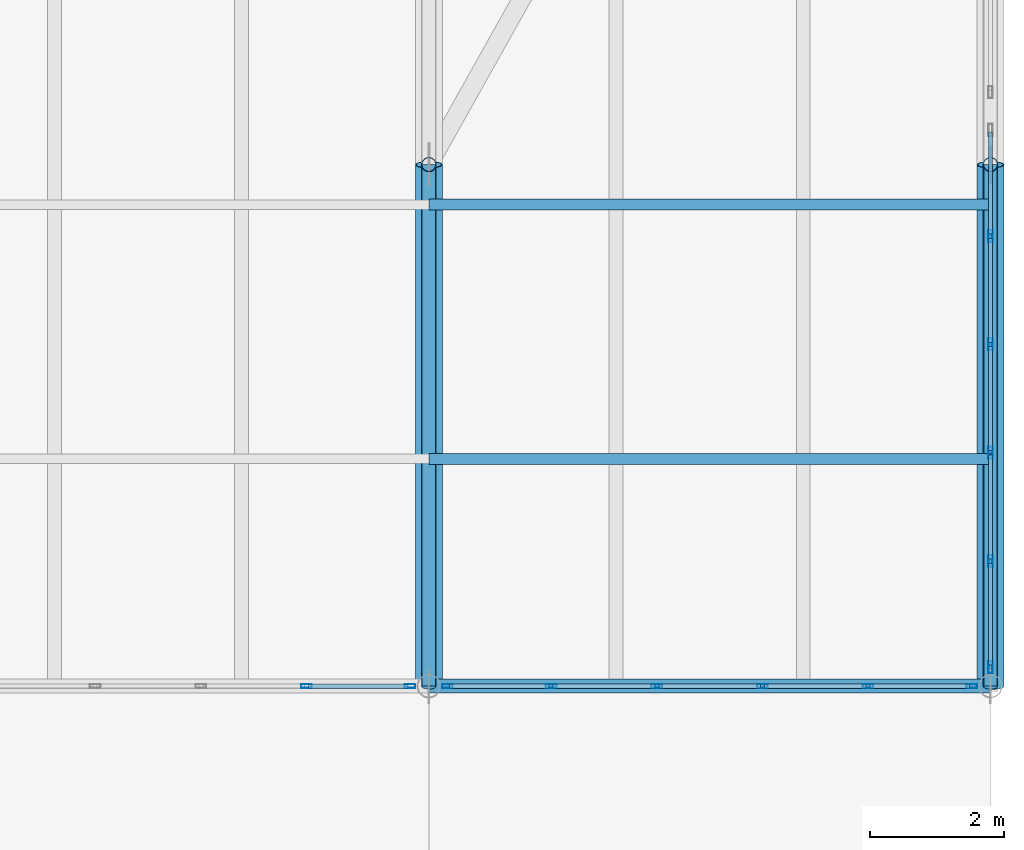
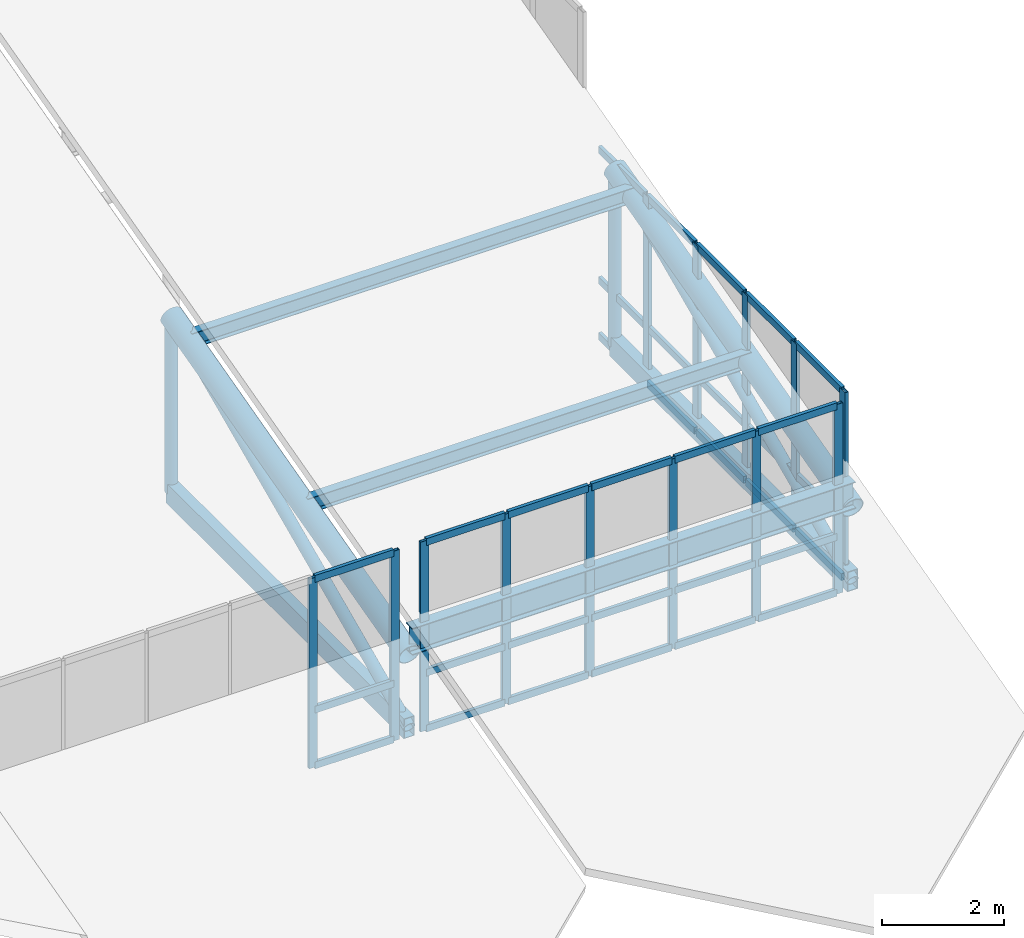
# One storey, part 22 of 43: 56 members, 1 beam, 3 elements without a shape of their own.
"""IFC4 building model written with IfcOpenShell, lengths in metres."""

from ifc_helpers import new_model, si_unit, direction, frame, origin, origin_2d, place, context, subcontext, project, spatial, hollow_rectangle, hollow_circle, i_section, extrude, material, layer, layer_set, material_profile, profile_set, type_object, element, aggregate, save


model = new_model("IFC4")

# Units and contexts
model_context = context("Model", 3, precision=1e-05, world=origin(), true_north=direction((0.0, 1.0)))
body_context = subcontext(model_context, "Body", "Model", "MODEL_VIEW")
ifc_project = project(units=[si_unit("LENGTHUNIT", "METRE"), si_unit("AREAUNIT", "SQUARE_METRE"), si_unit("VOLUMEUNIT", "CUBIC_METRE"), si_unit("PLANEANGLEUNIT", "RADIAN"), si_unit("MASSUNIT", "GRAM", prefix="KILO")], contexts=[model_context])

# Site, building, storey
site_placement = place(None, origin())
site = spatial("IfcSite", under=ifc_project, at=site_placement, CompositionType="ELEMENT")
building_placement = place(site_placement, origin())
building = spatial("IfcBuilding", under=site, at=building_placement, Name="Selat Folded Stagehouse", CompositionType="ELEMENT")
storey_placement = place(building_placement, frame((0.0, 0.0, 32.39990234375)))
storey = spatial("IfcBuildingStorey", under=building, at=storey_placement, Name="RF", CompositionType="ELEMENT", Elevation=32.39990234375)

# Beam
ifc_material_1 = material(Name="Steel S355", Category="steel")
ifc_material_profile_1 = material_profile(ifc_material_1, i_section(OverallWidth=0.209228515625, OverallDepth=0.533203125, WebThickness=0.010009765625, FlangeThickness=0.015625, FilletRadius=0.0126953125, at=origin_2d()), Name="UKB 533x210x92")
ifc_profile_set_1 = profile_set([ifc_material_profile_1], Name="Steel S355")
beam_type = type_object("IfcBeamType", Name="BM-GIRD-533x210x92", PredefinedType="BEAM", material=ifc_profile_set_1)
beam_placement = place(storey_placement, frame((58.800048828125, 23.39990234375, 1.9208984375), z_axis=(1.0, 0.0, 0.0), x_axis=(0.0, 1.0, 0.0)))
element("IfcBeam", 1, at=beam_placement, inside=storey, type_object=beam_type, Name="RF bay 7 S roof bearer beam", PredefinedType="BEAM", context=body_context, shape_type="SweptSolid", body=[
    extrude(i_section(OverallWidth=0.209228515625, OverallDepth=0.533203125, WebThickness=0.010009765625, FlangeThickness=0.015625, FilletRadius=0.0126953125, at=origin_2d()), origin(), (0.0, 0.0, 1.0), 8.39990234375),
])

# Curtain wall, members
ifc_material_2 = material(Name="Aluminium 6063-T6", Category="aluminium")
ifc_layer = layer(ifc_material_2, 0.169921875)
ifc_layer_set = layer_set([ifc_layer], Name="Aluminium 6063-T6")
curtain_wall_type = type_object("IfcCurtainWallType", Name="CW-CRN-CLER", PredefinedType="NOTDEFINED", material=ifc_layer_set)
curtain_wall_1_placement = place(storey_placement, origin())
curtain_wall_1 = element("IfcCurtainWall", 2, at=curtain_wall_1_placement, inside=storey, type_object=curtain_wall_type, Name="RF curtain wall CW-RF-S-05", PredefinedType="NOTDEFINED")
ifc_material_profile_2 = material_profile(ifc_material_2, hollow_rectangle(XDim=0.06005859375, YDim=0.159912109375, WallThickness=0.00390625, at=origin_2d()), Name="ALU 160x60x4.0")
ifc_profile_set_2 = profile_set([ifc_material_profile_2], Name="Aluminium 6063-T6")
member_type_1 = type_object("IfcMemberType", Name="CWM-MUL-160x60", PredefinedType="MULLION", material=ifc_profile_set_2)
member_1_placement = place(storey_placement, frame((58.52001953125, 23.39990234375, 0.0), z_axis=(0.0, 0.0, 1.0), x_axis=(0.0, -1.0, 0.0)))
member_1 = element("IfcMember", 3, at=member_1_placement, type_object=member_type_1, Name="CW-09 mullion 1", PredefinedType="MULLION", context=body_context, shape_type="SweptSolid", body=[
    extrude(hollow_rectangle(XDim=0.06005859375, YDim=0.159912109375, WallThickness=0.00390625, at=origin_2d()), origin(), (0.0, 0.0, 1.0), 3.800048828125),
])
member_2_placement = place(storey_placement, frame((56.969970703125, 23.39990234375, 0.0), z_axis=(0.0, 0.0, 1.0), x_axis=(0.0, -1.0, 0.0)))
member_2 = element("IfcMember", 4, at=member_2_placement, type_object=member_type_1, Name="CW-09 mullion 2", PredefinedType="MULLION", context=body_context, shape_type="SweptSolid", body=[
    extrude(hollow_rectangle(XDim=0.06005859375, YDim=0.159912109375, WallThickness=0.00390625, at=origin_2d()), origin(), (0.0, 0.0, 1.0), 3.800048828125),
])

curtain_wall_2_placement = place(storey_placement, origin())
curtain_wall_2 = element("IfcCurtainWall", 5, at=curtain_wall_2_placement, inside=storey, type_object=curtain_wall_type, Name="RF curtain wall CW-RF-S-06", PredefinedType="NOTDEFINED")
member_3_placement = place(storey_placement, frame((66.919921875, 23.39990234375, 0.0), z_axis=(0.0, 0.0, 1.0), x_axis=(0.0, -1.0, 0.0)))
member_3 = element("IfcMember", 6, at=member_3_placement, type_object=member_type_1, Name="CW-09 mullion 1", PredefinedType="MULLION", context=body_context, shape_type="SweptSolid", body=[
    extrude(hollow_rectangle(XDim=0.06005859375, YDim=0.159912109375, WallThickness=0.00390625, at=origin_2d()), origin(), (0.0, 0.0, 1.0), 3.800048828125),
])
member_4_placement = place(storey_placement, frame((65.3701171875, 23.39990234375, 0.0), z_axis=(0.0, 0.0, 1.0), x_axis=(0.0, -1.0, 0.0)))
member_4 = element("IfcMember", 7, at=member_4_placement, type_object=member_type_1, Name="CW-09 mullion 2", PredefinedType="MULLION", context=body_context, shape_type="SweptSolid", body=[
    extrude(hollow_rectangle(XDim=0.06005859375, YDim=0.159912109375, WallThickness=0.00390625, at=origin_2d()), origin(), (0.0, 0.0, 1.0), 3.800048828125),
])
member_5_placement = place(storey_placement, frame((63.7900390625, 23.39990234375, 0.0), z_axis=(0.0, 0.0, 1.0), x_axis=(0.0, -1.0, 0.0)))
member_5 = element("IfcMember", 8, at=member_5_placement, type_object=member_type_1, Name="CW-09 mullion 3", PredefinedType="MULLION", context=body_context, shape_type="SweptSolid", body=[
    extrude(hollow_rectangle(XDim=0.06005859375, YDim=0.159912109375, WallThickness=0.00390625, at=origin_2d()), origin(), (0.0, 0.0, 1.0), 3.800048828125),
])
member_6_placement = place(storey_placement, frame((62.2099609375, 23.39990234375, 0.0), z_axis=(0.0, 0.0, 1.0), x_axis=(0.0, -1.0, 0.0)))
member_6 = element("IfcMember", 9, at=member_6_placement, type_object=member_type_1, Name="CW-09 mullion 4", PredefinedType="MULLION", context=body_context, shape_type="SweptSolid", body=[
    extrude(hollow_rectangle(XDim=0.06005859375, YDim=0.159912109375, WallThickness=0.00390625, at=origin_2d()), origin(), (0.0, 0.0, 1.0), 3.800048828125),
])
member_7_placement = place(storey_placement, frame((60.6298828125, 23.39990234375, 0.0), z_axis=(0.0, 0.0, 1.0), x_axis=(0.0, -1.0, 0.0)))
member_7 = element("IfcMember", 10, at=member_7_placement, type_object=member_type_1, Name="CW-09 mullion 5", PredefinedType="MULLION", context=body_context, shape_type="SweptSolid", body=[
    extrude(hollow_rectangle(XDim=0.06005859375, YDim=0.159912109375, WallThickness=0.00390625, at=origin_2d()), origin(), (0.0, 0.0, 1.0), 3.800048828125),
])
member_8_placement = place(storey_placement, frame((59.080078125, 23.39990234375, 0.0), z_axis=(0.0, 0.0, 1.0), x_axis=(0.0, -1.0, 0.0)))
member_8 = element("IfcMember", 11, at=member_8_placement, type_object=member_type_1, Name="CW-09 mullion 6", PredefinedType="MULLION", context=body_context, shape_type="SweptSolid", body=[
    extrude(hollow_rectangle(XDim=0.06005859375, YDim=0.159912109375, WallThickness=0.00390625, at=origin_2d()), origin(), (0.0, 0.0, 1.0), 3.800048828125),
])

curtain_wall_3_placement = place(storey_placement, origin())
curtain_wall_3 = element("IfcCurtainWall", 12, at=curtain_wall_3_placement, inside=storey, type_object=curtain_wall_type, Name="RF curtain wall CW-RF-E-03", PredefinedType="NOTDEFINED")
ifc_material_profile_3 = material_profile(ifc_material_2, hollow_rectangle(XDim=0.06494140625, YDim=0.179931640625, WallThickness=0.00390625, at=origin_2d()), Name="ALU 180x65x4.0")
ifc_profile_set_3 = profile_set([ifc_material_profile_3], Name="Aluminium 6063-T6")
member_type_2 = type_object("IfcMemberType", Name="CWM-MUL-180x65", PredefinedType="MULLION", material=ifc_profile_set_3)
member_9_placement = place(storey_placement, frame((67.199951171875, 30.1298828125, 0.0), z_axis=(0.0, 0.0, 1.0), x_axis=(1.0, 0.0, 0.0)))
member_9 = element("IfcMember", 13, at=member_9_placement, type_object=member_type_2, Name="CW-09 mullion 2", PredefinedType="MULLION", context=body_context, shape_type="SweptSolid", body=[
    extrude(hollow_rectangle(XDim=0.06494140625, YDim=0.179931640625, WallThickness=0.00390625, at=origin_2d()), origin(), (0.0, 0.0, 1.0), 3.800048828125),
])
member_10_placement = place(storey_placement, frame((67.199951171875, 28.510009765625, 0.0), z_axis=(0.0, 0.0, 1.0), x_axis=(1.0, 0.0, 0.0)))
member_10 = element("IfcMember", 14, at=member_10_placement, type_object=member_type_2, Name="CW-09 mullion 3", PredefinedType="MULLION", context=body_context, shape_type="SweptSolid", body=[
    extrude(hollow_rectangle(XDim=0.06494140625, YDim=0.179931640625, WallThickness=0.00390625, at=origin_2d()), origin(), (0.0, 0.0, 1.0), 3.800048828125),
])
member_11_placement = place(storey_placement, frame((67.199951171875, 26.889892578125, 0.0), z_axis=(0.0, 0.0, 1.0), x_axis=(1.0, 0.0, 0.0)))
member_11 = element("IfcMember", 15, at=member_11_placement, type_object=member_type_2, Name="CW-09 mullion 4", PredefinedType="MULLION", context=body_context, shape_type="SweptSolid", body=[
    extrude(hollow_rectangle(XDim=0.06494140625, YDim=0.179931640625, WallThickness=0.00390625, at=origin_2d()), origin(), (0.0, 0.0, 1.0), 3.800048828125),
])
member_12_placement = place(storey_placement, frame((67.199951171875, 25.27001953125, 0.0), z_axis=(0.0, 0.0, 1.0), x_axis=(1.0, 0.0, 0.0)))
member_12 = element("IfcMember", 16, at=member_12_placement, type_object=member_type_2, Name="CW-09 mullion 5", PredefinedType="MULLION", context=body_context, shape_type="SweptSolid", body=[
    extrude(hollow_rectangle(XDim=0.06494140625, YDim=0.179931640625, WallThickness=0.00390625, at=origin_2d()), origin(), (0.0, 0.0, 1.0), 3.800048828125),
])
member_13_placement = place(storey_placement, frame((67.199951171875, 23.6826171875, 0.0), z_axis=(0.0, 0.0, 1.0), x_axis=(1.0, 0.0, 0.0)))
member_13 = element("IfcMember", 17, at=member_13_placement, type_object=member_type_2, Name="CW-09 mullion 6", PredefinedType="MULLION", context=body_context, shape_type="SweptSolid", body=[
    extrude(hollow_rectangle(XDim=0.06494140625, YDim=0.179931640625, WallThickness=0.00390625, at=origin_2d()), origin(), (0.0, 0.0, 1.0), 3.800048828125),
])

# Member
ifc_material_profile_4 = material_profile(ifc_material_2, hollow_rectangle(XDim=0.06494140625, YDim=0.139892578125, WallThickness=0.00390625, at=origin_2d()), Name="ALU 140x65x4.0")
ifc_profile_set_4 = profile_set([ifc_material_profile_4], Name="Aluminium 6063-T6")
member_type_3 = type_object("IfcMemberType", Name="CWM-TRN-140x65", PredefinedType="USERDEFINED", material=ifc_profile_set_4)
member_14_placement = place(storey_placement, frame((58.489990234375, 23.39990234375, 0.03271484375), z_axis=(-1.0, 0.0, 0.0), x_axis=(0.0, -1.0, 0.0)))
member_14 = element("IfcMember", 18, at=member_14_placement, type_object=member_type_3, Name="CW-09 transom 1.1", ObjectType="TRANSOM", PredefinedType="USERDEFINED", context=body_context, shape_type="SweptSolid", body=[
    extrude(hollow_rectangle(XDim=0.06494140625, YDim=0.139892578125, WallThickness=0.00390625, at=origin_2d()), origin(), (0.0, 0.0, 1.0), 1.489990234375),
])

member_15_placement = place(storey_placement, frame((58.489990234375, 23.39990234375, 1.150146484375), z_axis=(-1.0, 0.0, 0.0), x_axis=(0.0, -1.0, 0.0)))
member_15 = element("IfcMember", 19, at=member_15_placement, type_object=member_type_3, Name="CW-09 transom 1.2", ObjectType="TRANSOM", PredefinedType="USERDEFINED", context=body_context, shape_type="SweptSolid", body=[
    extrude(hollow_rectangle(XDim=0.06494140625, YDim=0.139892578125, WallThickness=0.00390625, at=origin_2d()), origin(), (0.0, 0.0, 1.0), 1.489990234375),
])

member_16_placement = place(storey_placement, frame((58.489990234375, 23.39990234375, 3.767578125), z_axis=(-1.0, 0.0, 0.0), x_axis=(0.0, -1.0, 0.0)))
member_16 = element("IfcMember", 20, at=member_16_placement, type_object=member_type_3, Name="CW-09 transom 1.3", ObjectType="TRANSOM", PredefinedType="USERDEFINED", context=body_context, shape_type="SweptSolid", body=[
    extrude(hollow_rectangle(XDim=0.06494140625, YDim=0.139892578125, WallThickness=0.00390625, at=origin_2d()), origin(), (0.0, 0.0, 1.0), 1.489990234375),
])

aggregate(curtain_wall_1, [member_1, member_2, member_14, member_15, member_16])

member_17_placement = place(storey_placement, frame((66.889892578125, 23.39990234375, 0.03271484375), z_axis=(-1.0, 0.0, 0.0), x_axis=(0.0, -1.0, 0.0)))
member_17 = element("IfcMember", 21, at=member_17_placement, type_object=member_type_3, Name="CW-09 transom 1.1", ObjectType="TRANSOM", PredefinedType="USERDEFINED", context=body_context, shape_type="SweptSolid", body=[
    extrude(hollow_rectangle(XDim=0.06494140625, YDim=0.139892578125, WallThickness=0.00390625, at=origin_2d()), origin(), (0.0, 0.0, 1.0), 1.489990234375),
])

member_18_placement = place(storey_placement, frame((66.889892578125, 23.39990234375, 1.150146484375), z_axis=(-1.0, 0.0, 0.0), x_axis=(0.0, -1.0, 0.0)))
member_18 = element("IfcMember", 22, at=member_18_placement, type_object=member_type_3, Name="CW-09 transom 1.2", ObjectType="TRANSOM", PredefinedType="USERDEFINED", context=body_context, shape_type="SweptSolid", body=[
    extrude(hollow_rectangle(XDim=0.06494140625, YDim=0.139892578125, WallThickness=0.00390625, at=origin_2d()), origin(), (0.0, 0.0, 1.0), 1.489990234375),
])

member_19_placement = place(storey_placement, frame((66.889892578125, 23.39990234375, 3.767578125), z_axis=(-1.0, 0.0, 0.0), x_axis=(0.0, -1.0, 0.0)))
member_19 = element("IfcMember", 23, at=member_19_placement, type_object=member_type_3, Name="CW-09 transom 1.3", ObjectType="TRANSOM", PredefinedType="USERDEFINED", context=body_context, shape_type="SweptSolid", body=[
    extrude(hollow_rectangle(XDim=0.06494140625, YDim=0.139892578125, WallThickness=0.00390625, at=origin_2d()), origin(), (0.0, 0.0, 1.0), 1.489990234375),
])

member_20_placement = place(storey_placement, frame((65.340087890625, 23.39990234375, 0.03271484375), z_axis=(-1.0, 0.0, 0.0), x_axis=(0.0, -1.0, 0.0)))
member_20 = element("IfcMember", 24, at=member_20_placement, type_object=member_type_3, Name="CW-09 transom 2.1", ObjectType="TRANSOM", PredefinedType="USERDEFINED", context=body_context, shape_type="SweptSolid", body=[
    extrude(hollow_rectangle(XDim=0.06494140625, YDim=0.139892578125, WallThickness=0.00390625, at=origin_2d()), origin(), (0.0, 0.0, 1.0), 1.52001953125),
])

member_21_placement = place(storey_placement, frame((65.340087890625, 23.39990234375, 1.150146484375), z_axis=(-1.0, 0.0, 0.0), x_axis=(0.0, -1.0, 0.0)))
member_21 = element("IfcMember", 25, at=member_21_placement, type_object=member_type_3, Name="CW-09 transom 2.2", ObjectType="TRANSOM", PredefinedType="USERDEFINED", context=body_context, shape_type="SweptSolid", body=[
    extrude(hollow_rectangle(XDim=0.06494140625, YDim=0.139892578125, WallThickness=0.00390625, at=origin_2d()), origin(), (0.0, 0.0, 1.0), 1.52001953125),
])

member_22_placement = place(storey_placement, frame((65.340087890625, 23.39990234375, 3.767578125), z_axis=(-1.0, 0.0, 0.0), x_axis=(0.0, -1.0, 0.0)))
member_22 = element("IfcMember", 26, at=member_22_placement, type_object=member_type_3, Name="CW-09 transom 2.3", ObjectType="TRANSOM", PredefinedType="USERDEFINED", context=body_context, shape_type="SweptSolid", body=[
    extrude(hollow_rectangle(XDim=0.06494140625, YDim=0.139892578125, WallThickness=0.00390625, at=origin_2d()), origin(), (0.0, 0.0, 1.0), 1.52001953125),
])

member_23_placement = place(storey_placement, frame((63.760009765625, 23.39990234375, 0.03271484375), z_axis=(-1.0, 0.0, 0.0), x_axis=(0.0, -1.0, 0.0)))
member_23 = element("IfcMember", 27, at=member_23_placement, type_object=member_type_3, Name="CW-09 transom 3.1", ObjectType="TRANSOM", PredefinedType="USERDEFINED", context=body_context, shape_type="SweptSolid", body=[
    extrude(hollow_rectangle(XDim=0.06494140625, YDim=0.139892578125, WallThickness=0.00390625, at=origin_2d()), origin(), (0.0, 0.0, 1.0), 1.52001953125),
])

member_24_placement = place(storey_placement, frame((63.760009765625, 23.39990234375, 1.150146484375), z_axis=(-1.0, 0.0, 0.0), x_axis=(0.0, -1.0, 0.0)))
member_24 = element("IfcMember", 28, at=member_24_placement, type_object=member_type_3, Name="CW-09 transom 3.2", ObjectType="TRANSOM", PredefinedType="USERDEFINED", context=body_context, shape_type="SweptSolid", body=[
    extrude(hollow_rectangle(XDim=0.06494140625, YDim=0.139892578125, WallThickness=0.00390625, at=origin_2d()), origin(), (0.0, 0.0, 1.0), 1.52001953125),
])

member_25_placement = place(storey_placement, frame((63.760009765625, 23.39990234375, 3.767578125), z_axis=(-1.0, 0.0, 0.0), x_axis=(0.0, -1.0, 0.0)))
member_25 = element("IfcMember", 29, at=member_25_placement, type_object=member_type_3, Name="CW-09 transom 3.3", ObjectType="TRANSOM", PredefinedType="USERDEFINED", context=body_context, shape_type="SweptSolid", body=[
    extrude(hollow_rectangle(XDim=0.06494140625, YDim=0.139892578125, WallThickness=0.00390625, at=origin_2d()), origin(), (0.0, 0.0, 1.0), 1.52001953125),
])

member_26_placement = place(storey_placement, frame((62.179931640625, 23.39990234375, 0.03271484375), z_axis=(-1.0, 0.0, 0.0), x_axis=(0.0, -1.0, 0.0)))
member_26 = element("IfcMember", 30, at=member_26_placement, type_object=member_type_3, Name="CW-09 transom 4.1", ObjectType="TRANSOM", PredefinedType="USERDEFINED", context=body_context, shape_type="SweptSolid", body=[
    extrude(hollow_rectangle(XDim=0.06494140625, YDim=0.139892578125, WallThickness=0.00390625, at=origin_2d()), origin(), (0.0, 0.0, 1.0), 1.52001953125),
])

member_27_placement = place(storey_placement, frame((62.179931640625, 23.39990234375, 1.150146484375), z_axis=(-1.0, 0.0, 0.0), x_axis=(0.0, -1.0, 0.0)))
member_27 = element("IfcMember", 31, at=member_27_placement, type_object=member_type_3, Name="CW-09 transom 4.2", ObjectType="TRANSOM", PredefinedType="USERDEFINED", context=body_context, shape_type="SweptSolid", body=[
    extrude(hollow_rectangle(XDim=0.06494140625, YDim=0.139892578125, WallThickness=0.00390625, at=origin_2d()), origin(), (0.0, 0.0, 1.0), 1.52001953125),
])

member_28_placement = place(storey_placement, frame((62.179931640625, 23.39990234375, 3.767578125), z_axis=(-1.0, 0.0, 0.0), x_axis=(0.0, -1.0, 0.0)))
member_28 = element("IfcMember", 32, at=member_28_placement, type_object=member_type_3, Name="CW-09 transom 4.3", ObjectType="TRANSOM", PredefinedType="USERDEFINED", context=body_context, shape_type="SweptSolid", body=[
    extrude(hollow_rectangle(XDim=0.06494140625, YDim=0.139892578125, WallThickness=0.00390625, at=origin_2d()), origin(), (0.0, 0.0, 1.0), 1.52001953125),
])

member_29_placement = place(storey_placement, frame((60.60009765625, 23.39990234375, 0.03271484375), z_axis=(-1.0, 0.0, 0.0), x_axis=(0.0, -1.0, 0.0)))
member_29 = element("IfcMember", 33, at=member_29_placement, type_object=member_type_3, Name="CW-09 transom 5.1", ObjectType="TRANSOM", PredefinedType="USERDEFINED", context=body_context, shape_type="SweptSolid", body=[
    extrude(hollow_rectangle(XDim=0.06494140625, YDim=0.139892578125, WallThickness=0.00390625, at=origin_2d()), origin(), (0.0, 0.0, 1.0), 1.489990234375),
])

member_30_placement = place(storey_placement, frame((60.60009765625, 23.39990234375, 1.150146484375), z_axis=(-1.0, 0.0, 0.0), x_axis=(0.0, -1.0, 0.0)))
member_30 = element("IfcMember", 34, at=member_30_placement, type_object=member_type_3, Name="CW-09 transom 5.2", ObjectType="TRANSOM", PredefinedType="USERDEFINED", context=body_context, shape_type="SweptSolid", body=[
    extrude(hollow_rectangle(XDim=0.06494140625, YDim=0.139892578125, WallThickness=0.00390625, at=origin_2d()), origin(), (0.0, 0.0, 1.0), 1.489990234375),
])

member_31_placement = place(storey_placement, frame((60.60009765625, 23.39990234375, 3.767578125), z_axis=(-1.0, 0.0, 0.0), x_axis=(0.0, -1.0, 0.0)))
member_31 = element("IfcMember", 35, at=member_31_placement, type_object=member_type_3, Name="CW-09 transom 5.3", ObjectType="TRANSOM", PredefinedType="USERDEFINED", context=body_context, shape_type="SweptSolid", body=[
    extrude(hollow_rectangle(XDim=0.06494140625, YDim=0.139892578125, WallThickness=0.00390625, at=origin_2d()), origin(), (0.0, 0.0, 1.0), 1.489990234375),
])

aggregate(curtain_wall_2, [member_3, member_4, member_5, member_6, member_7, member_8, member_17, member_18, member_19, member_20, member_21, member_22, member_23, member_24, member_25, member_26, member_27, member_28, member_29, member_30, member_31])

member_32_placement = place(storey_placement, frame((67.199951171875, 31.68505859375, 0.03271484375), z_axis=(0.0, -1.0, 0.0), x_axis=(1.0, 0.0, 0.0)))
member_32 = element("IfcMember", 36, at=member_32_placement, type_object=member_type_3, Name="CW-09 transom 1.1", ObjectType="TRANSOM", PredefinedType="USERDEFINED", context=body_context, shape_type="SweptSolid", body=[
    extrude(hollow_rectangle(XDim=0.06494140625, YDim=0.139892578125, WallThickness=0.00390625, at=origin_2d()), origin(), (0.0, 0.0, 1.0), 1.5224609375),
])

member_33_placement = place(storey_placement, frame((67.199951171875, 31.68505859375, 1.150146484375), z_axis=(0.0, -1.0, 0.0), x_axis=(1.0, 0.0, 0.0)))
member_33 = element("IfcMember", 37, at=member_33_placement, type_object=member_type_3, Name="CW-09 transom 1.2", ObjectType="TRANSOM", PredefinedType="USERDEFINED", context=body_context, shape_type="SweptSolid", body=[
    extrude(hollow_rectangle(XDim=0.06494140625, YDim=0.139892578125, WallThickness=0.00390625, at=origin_2d()), origin(), (0.0, 0.0, 1.0), 1.5224609375),
])

member_34_placement = place(storey_placement, frame((67.199951171875, 31.68505859375, 3.767578125), z_axis=(0.0, -1.0, 0.0), x_axis=(1.0, 0.0, 0.0)))
member_34 = element("IfcMember", 38, at=member_34_placement, type_object=member_type_3, Name="CW-09 transom 1.3", ObjectType="TRANSOM", PredefinedType="USERDEFINED", context=body_context, shape_type="SweptSolid", body=[
    extrude(hollow_rectangle(XDim=0.06494140625, YDim=0.139892578125, WallThickness=0.00390625, at=origin_2d()), origin(), (0.0, 0.0, 1.0), 1.5224609375),
])

member_35_placement = place(storey_placement, frame((67.199951171875, 30.097412109375, 0.03271484375), z_axis=(0.0, -1.0, 0.0), x_axis=(1.0, 0.0, 0.0)))
member_35 = element("IfcMember", 39, at=member_35_placement, type_object=member_type_3, Name="CW-09 transom 2.1", ObjectType="TRANSOM", PredefinedType="USERDEFINED", context=body_context, shape_type="SweptSolid", body=[
    extrude(hollow_rectangle(XDim=0.06494140625, YDim=0.139892578125, WallThickness=0.00390625, at=origin_2d()), origin(), (0.0, 0.0, 1.0), 1.554931640625),
])

member_36_placement = place(storey_placement, frame((67.199951171875, 30.097412109375, 1.150146484375), z_axis=(0.0, -1.0, 0.0), x_axis=(1.0, 0.0, 0.0)))
member_36 = element("IfcMember", 40, at=member_36_placement, type_object=member_type_3, Name="CW-09 transom 2.2", ObjectType="TRANSOM", PredefinedType="USERDEFINED", context=body_context, shape_type="SweptSolid", body=[
    extrude(hollow_rectangle(XDim=0.06494140625, YDim=0.139892578125, WallThickness=0.00390625, at=origin_2d()), origin(), (0.0, 0.0, 1.0), 1.554931640625),
])

member_37_placement = place(storey_placement, frame((67.199951171875, 30.097412109375, 3.767578125), z_axis=(0.0, -1.0, 0.0), x_axis=(1.0, 0.0, 0.0)))
member_37 = element("IfcMember", 41, at=member_37_placement, type_object=member_type_3, Name="CW-09 transom 2.3", ObjectType="TRANSOM", PredefinedType="USERDEFINED", context=body_context, shape_type="SweptSolid", body=[
    extrude(hollow_rectangle(XDim=0.06494140625, YDim=0.139892578125, WallThickness=0.00390625, at=origin_2d()), origin(), (0.0, 0.0, 1.0), 1.554931640625),
])

member_38_placement = place(storey_placement, frame((67.199951171875, 28.4775390625, 0.03271484375), z_axis=(0.0, -1.0, 0.0), x_axis=(1.0, 0.0, 0.0)))
member_38 = element("IfcMember", 42, at=member_38_placement, type_object=member_type_3, Name="CW-09 transom 3.1", ObjectType="TRANSOM", PredefinedType="USERDEFINED", context=body_context, shape_type="SweptSolid", body=[
    extrude(hollow_rectangle(XDim=0.06494140625, YDim=0.139892578125, WallThickness=0.00390625, at=origin_2d()), origin(), (0.0, 0.0, 1.0), 1.554931640625),
])

member_39_placement = place(storey_placement, frame((67.199951171875, 28.4775390625, 1.150146484375), z_axis=(0.0, -1.0, 0.0), x_axis=(1.0, 0.0, 0.0)))
member_39 = element("IfcMember", 43, at=member_39_placement, type_object=member_type_3, Name="CW-09 transom 3.2", ObjectType="TRANSOM", PredefinedType="USERDEFINED", context=body_context, shape_type="SweptSolid", body=[
    extrude(hollow_rectangle(XDim=0.06494140625, YDim=0.139892578125, WallThickness=0.00390625, at=origin_2d()), origin(), (0.0, 0.0, 1.0), 1.554931640625),
])

member_40_placement = place(storey_placement, frame((67.199951171875, 28.4775390625, 3.767578125), z_axis=(0.0, -1.0, 0.0), x_axis=(1.0, 0.0, 0.0)))
member_40 = element("IfcMember", 44, at=member_40_placement, type_object=member_type_3, Name="CW-09 transom 3.3", ObjectType="TRANSOM", PredefinedType="USERDEFINED", context=body_context, shape_type="SweptSolid", body=[
    extrude(hollow_rectangle(XDim=0.06494140625, YDim=0.139892578125, WallThickness=0.00390625, at=origin_2d()), origin(), (0.0, 0.0, 1.0), 1.554931640625),
])

member_41_placement = place(storey_placement, frame((67.199951171875, 26.857421875, 0.03271484375), z_axis=(0.0, -1.0, 0.0), x_axis=(1.0, 0.0, 0.0)))
member_41 = element("IfcMember", 45, at=member_41_placement, type_object=member_type_3, Name="CW-09 transom 4.1", ObjectType="TRANSOM", PredefinedType="USERDEFINED", context=body_context, shape_type="SweptSolid", body=[
    extrude(hollow_rectangle(XDim=0.06494140625, YDim=0.139892578125, WallThickness=0.00390625, at=origin_2d()), origin(), (0.0, 0.0, 1.0), 1.554931640625),
])

member_42_placement = place(storey_placement, frame((67.199951171875, 26.857421875, 1.150146484375), z_axis=(0.0, -1.0, 0.0), x_axis=(1.0, 0.0, 0.0)))
member_42 = element("IfcMember", 46, at=member_42_placement, type_object=member_type_3, Name="CW-09 transom 4.2", ObjectType="TRANSOM", PredefinedType="USERDEFINED", context=body_context, shape_type="SweptSolid", body=[
    extrude(hollow_rectangle(XDim=0.06494140625, YDim=0.139892578125, WallThickness=0.00390625, at=origin_2d()), origin(), (0.0, 0.0, 1.0), 1.554931640625),
])

member_43_placement = place(storey_placement, frame((67.199951171875, 26.857421875, 3.767578125), z_axis=(0.0, -1.0, 0.0), x_axis=(1.0, 0.0, 0.0)))
member_43 = element("IfcMember", 47, at=member_43_placement, type_object=member_type_3, Name="CW-09 transom 4.3", ObjectType="TRANSOM", PredefinedType="USERDEFINED", context=body_context, shape_type="SweptSolid", body=[
    extrude(hollow_rectangle(XDim=0.06494140625, YDim=0.139892578125, WallThickness=0.00390625, at=origin_2d()), origin(), (0.0, 0.0, 1.0), 1.554931640625),
])

member_44_placement = place(storey_placement, frame((67.199951171875, 25.237548828125, 0.03271484375), z_axis=(0.0, -1.0, 0.0), x_axis=(1.0, 0.0, 0.0)))
member_44 = element("IfcMember", 48, at=member_44_placement, type_object=member_type_3, Name="CW-09 transom 5.1", ObjectType="TRANSOM", PredefinedType="USERDEFINED", context=body_context, shape_type="SweptSolid", body=[
    extrude(hollow_rectangle(XDim=0.06494140625, YDim=0.139892578125, WallThickness=0.00390625, at=origin_2d()), origin(), (0.0, 0.0, 1.0), 1.5224609375),
])

member_45_placement = place(storey_placement, frame((67.199951171875, 25.237548828125, 1.150146484375), z_axis=(0.0, -1.0, 0.0), x_axis=(1.0, 0.0, 0.0)))
member_45 = element("IfcMember", 49, at=member_45_placement, type_object=member_type_3, Name="CW-09 transom 5.2", ObjectType="TRANSOM", PredefinedType="USERDEFINED", context=body_context, shape_type="SweptSolid", body=[
    extrude(hollow_rectangle(XDim=0.06494140625, YDim=0.139892578125, WallThickness=0.00390625, at=origin_2d()), origin(), (0.0, 0.0, 1.0), 1.5224609375),
])

member_46_placement = place(storey_placement, frame((67.199951171875, 25.237548828125, 3.767578125), z_axis=(0.0, -1.0, 0.0), x_axis=(1.0, 0.0, 0.0)))
member_46 = element("IfcMember", 50, at=member_46_placement, type_object=member_type_3, Name="CW-09 transom 5.3", ObjectType="TRANSOM", PredefinedType="USERDEFINED", context=body_context, shape_type="SweptSolid", body=[
    extrude(hollow_rectangle(XDim=0.06494140625, YDim=0.139892578125, WallThickness=0.00390625, at=origin_2d()), origin(), (0.0, 0.0, 1.0), 1.5224609375),
])

aggregate(curtain_wall_3, [member_9, member_10, member_11, member_12, member_13, member_32, member_33, member_34, member_35, member_36, member_37, member_38, member_39, member_40, member_41, member_42, member_43, member_44, member_45, member_46])

# Members
ifc_material_profile_5 = material_profile(ifc_material_1, hollow_circle(Radius=0.109619140625, WallThickness=0.010009765625, at=origin_2d()), Name="CHS 219.1x10.0")
ifc_profile_set_5 = profile_set([ifc_material_profile_5], Name="Steel S355")
member_type_4 = type_object("IfcMemberType", Name="MEM-BRACE-CHS219", PredefinedType="BRACE", material=ifc_profile_set_5)
for number, where, z_axis, x_axis, name in (
    (51, (58.800048828125, 23.39990234375, 0.150146484375), (0.0, 0.91168696029, 0.410885490664), (-1.0, 0.0, 0.0), "Folded-plate web diagonal 7.1"),
    (52, (67.199951171875, 23.39990234375, 0.150146484375), (0.0, 0.91168696029, 0.410885490664), (-1.0, 0.0, 0.0), "Folded-plate web diagonal 8.1"),
):
    element("IfcMember", number, at=place(storey_placement, frame(where, z_axis=z_axis, x_axis=x_axis)), inside=storey, type_object=member_type_4, Name=name, PredefinedType="BRACE", context=body_context, shape_type="SweptSolid", body=[
        extrude(hollow_circle(Radius=0.109619140625, WallThickness=0.010009765625, at=origin_2d()), origin(), (0.0, 0.0, 1.0), 8.5556640625),
    ])
ifc_material_profile_6 = material_profile(ifc_material_1, hollow_circle(Radius=0.203125, WallThickness=0.01611328125, at=origin_2d()), Name="CHS 406.4x16.0")
ifc_profile_set_6 = profile_set([ifc_material_profile_6], Name="Steel S355")
member_type_5 = type_object("IfcMemberType", Name="MEM-CHORD-CHS406", PredefinedType="CHORD", material=ifc_profile_set_6)
for number, where, z_axis, x_axis, name in (
    (53, (58.800048828125, 23.39990234375, 1.605224609375), (0.0, 0.966840500881, 0.255380981781), (-1.0, 0.0, 0.0), "Folded-plate top chord 7.1"),
    (54, (67.199951171875, 23.39990234375, 1.605224609375), (0.0, 0.966840500881, 0.255380981781), (-1.0, 0.0, 0.0), "Folded-plate top chord 8.1"),
):
    element("IfcMember", number, at=place(storey_placement, frame(where, z_axis=z_axis, x_axis=x_axis)), inside=storey, type_object=member_type_5, Name=name, PredefinedType="CHORD", context=body_context, shape_type="SweptSolid", body=[
        extrude(hollow_circle(Radius=0.203125, WallThickness=0.01611328125, at=origin_2d()), origin(), (0.0, 0.0, 1.0), 8.067626953125),
    ])
ifc_material_profile_7 = material_profile(ifc_material_1, hollow_rectangle(XDim=0.199951171875, YDim=0.39990234375, WallThickness=0.012451171875, at=origin_2d()), Name="RHS 400x200x12.5")
ifc_profile_set_7 = profile_set([ifc_material_profile_7], Name="Steel S355")
member_type_6 = type_object("IfcMemberType", Name="MEM-CHORD-RHS400", PredefinedType="CHORD", material=ifc_profile_set_7)
for number, where, z_axis, x_axis, name in (
    (55, (58.800048828125, 23.39990234375, 0.150146484375), (0.0, 1.0, 0.0), (-1.0, 0.0, 0.0), "Folded-plate bottom tie 7.1"),
    (56, (67.199951171875, 23.39990234375, 0.150146484375), (0.0, 1.0, 0.0), (-1.0, 0.0, 0.0), "Folded-plate bottom tie 8.1"),
):
    element("IfcMember", number, at=place(storey_placement, frame(where, z_axis=z_axis, x_axis=x_axis)), inside=storey, type_object=member_type_6, Name=name, PredefinedType="CHORD", context=body_context, shape_type="SweptSolid", body=[
        extrude(hollow_rectangle(XDim=0.199951171875, YDim=0.39990234375, WallThickness=0.012451171875, at=origin_2d()), origin(), (0.0, 0.0, 1.0), 7.800048828125),
    ])
ifc_material_profile_8 = material_profile(ifc_material_1, hollow_circle(Radius=0.109619140625, WallThickness=0.010009765625, at=origin_2d()), Name="CHS 219.1x10.0")
ifc_profile_set_8 = profile_set([ifc_material_profile_8], Name="Steel S355")
member_type_7 = type_object("IfcMemberType", Name="MEM-POST-CHS219", PredefinedType="POST", material=ifc_profile_set_8)
for number, where, z_axis, x_axis, name in (
    (57, (58.800048828125, 31.199951171875, 0.150146484375), (0.0, 0.0, 1.0), (1.0, 0.0, 0.0), "Folded-plate truss post 7.1"),
    (58, (67.199951171875, 31.199951171875, 0.150146484375), (0.0, 0.0, 1.0), (1.0, 0.0, 0.0), "Folded-plate truss post 8.1"),
):
    element("IfcMember", number, at=place(storey_placement, frame(where, z_axis=z_axis, x_axis=x_axis)), inside=storey, type_object=member_type_7, Name=name, PredefinedType="POST", context=body_context, shape_type="SweptSolid", body=[
        extrude(hollow_circle(Radius=0.109619140625, WallThickness=0.010009765625, at=origin_2d()), origin(), (0.0, 0.0, 1.0), 3.515380859375),
    ])
ifc_material_profile_9 = material_profile(ifc_material_1, i_section(OverallWidth=0.1650390625, OverallDepth=0.303466796875, WebThickness=0.006103515625, FlangeThickness=0.01025390625, FilletRadius=0.0087890625, at=origin_2d()), Name="UKB 305x165x40")
ifc_profile_set_9 = profile_set([ifc_material_profile_9], Name="Steel S355")
member_type_8 = type_object("IfcMemberType", Name="MEM-PURLIN-UKB305", PredefinedType="PURLIN", material=ifc_profile_set_9)
for number, where, z_axis, x_axis, name in (
    (59, (58.800048828125, 26.800048828125, 2.556640625), (1.0, 0.0, 0.0), (0.0, 1.0, 0.0), "Folded-plate roof purlin bay 7.1"),
    (60, (58.800048828125, 30.60009765625, 3.560302734375), (1.0, 0.0, 0.0), (0.0, 1.0, 0.0), "Folded-plate roof purlin bay 7.2"),
):
    element("IfcMember", number, at=place(storey_placement, frame(where, z_axis=z_axis, x_axis=x_axis)), inside=storey, type_object=member_type_8, Name=name, PredefinedType="PURLIN", context=body_context, shape_type="SweptSolid", body=[
        extrude(i_section(OverallWidth=0.1650390625, OverallDepth=0.303466796875, WebThickness=0.006103515625, FlangeThickness=0.01025390625, FilletRadius=0.0087890625, at=origin_2d()), origin(), (0.0, 0.0, 1.0), 8.39990234375),
    ])

save(model, "model.ifc")
